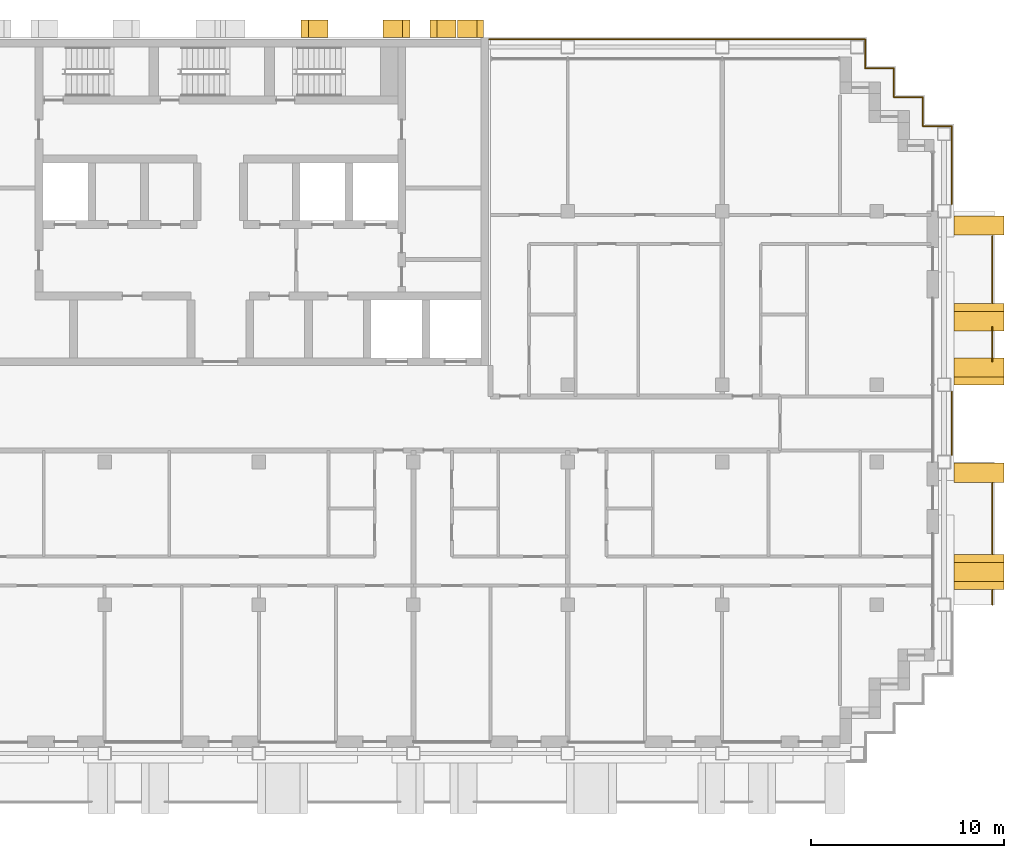
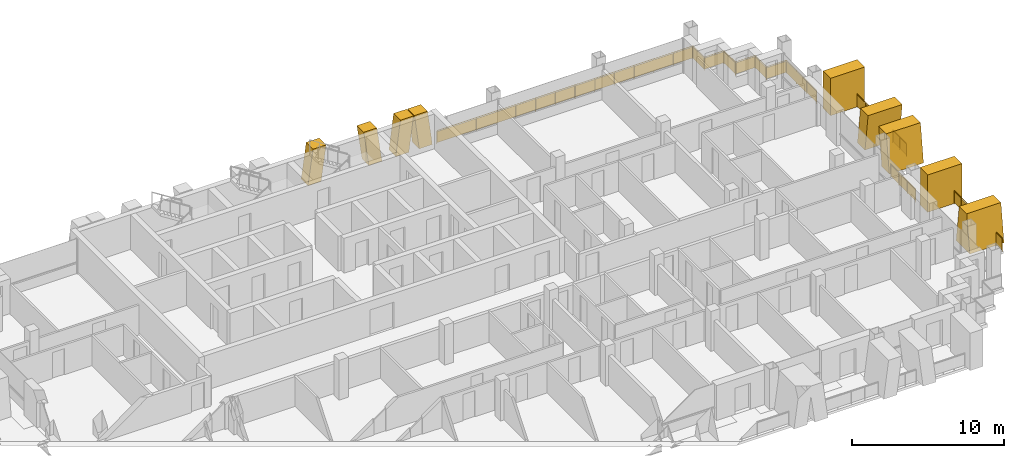
# One storey, part 16 of 16: 9 shading devices, 8 railings.
"""IFC4 building model written with IfcOpenShell, lengths in metres."""

from ifc_helpers import new_model, si_unit, direction, frame, origin, origin_2d, place, context, subcontext, project, spatial, polyline, rectangle, circle, outline, extrude, material, layer, layer_set, type_object, element, save


model = new_model("IFC4")

# Units and contexts
model_context = context("Model", 3, precision=1e-05, world=origin(), true_north=direction((0.0, 1.0)))
body_context = subcontext(model_context, "Body", "Model", "MODEL_VIEW")
ifc_project = project(units=[si_unit("LENGTHUNIT", "METRE"), si_unit("AREAUNIT", "SQUARE_METRE"), si_unit("VOLUMEUNIT", "CUBIC_METRE"), si_unit("PLANEANGLEUNIT", "RADIAN"), si_unit("MASSUNIT", "GRAM", prefix="KILO")], contexts=[model_context])

# Site, building, storey
site_placement = place(None, origin())
site = spatial("IfcSite", under=ifc_project, at=site_placement, CompositionType="ELEMENT")
building_placement = place(site_placement, origin())
building = spatial("IfcBuilding", under=site, at=building_placement, Name="Vidyagriha Tower", CompositionType="ELEMENT")
storey_placement = place(building_placement, frame((0.0, 0.0, 190.89990234375)))
storey = spatial("IfcBuildingStorey", under=building, at=storey_placement, Name="L50", CompositionType="ELEMENT", Elevation=190.89990234375)

# Railings
ifc_material_1 = material(Name="Steel ASTM A500 Grade C black painted", Category="steel")
railing_type_1 = type_object("IfcRailingType", Name="Balcony guard 1100", PredefinedType="BALUSTRADE", material=ifc_material_1)
railing_1_placement = place(storey_placement, frame((40.0, -9.39990234375, 0.0)))
element("IfcRailing", 1, at=railing_1_placement, inside=storey, type_object=railing_type_1, Name="Balcony guard L50 R30.1-1", PredefinedType="BALUSTRADE", context=body_context, shape_type="SweptSolid", body=[
    extrude(circle(Radius=0.02490234375, at=origin_2d()), frame((0.0, 0.0, 1.0751953125), z_axis=(0.0, 1.0, 0.0), x_axis=(-1.0, 0.0, 0.0)), (0.0, 0.0, 1.0), 0.75),
    extrude(circle(Radius=0.02001953125, at=origin_2d()), origin(), (0.0, 0.0, 1.0), 1.050048828125),
    extrude(circle(Radius=0.02001953125, at=origin_2d()), frame((0.0, 0.75, 0.0)), (0.0, 0.0, 1.0), 1.050048828125),
    extrude(rectangle(XDim=0.010009765625, YDim=0.900146484375, at=origin_2d()), frame((0.0, 0.0, 0.550048828125), z_axis=(0.0, 1.0, 0.0), x_axis=(-1.0, 0.0, 0.0)), (0.0, 0.0, 1.0), 0.75),
])
railing_2_placement = place(storey_placement, frame((40.0, -6.75, 0.0)))
element("IfcRailing", 2, at=railing_2_placement, inside=storey, type_object=railing_type_1, Name="Balcony guard L50 R30.1-2", PredefinedType="BALUSTRADE", context=body_context, shape_type="SweptSolid", body=[
    extrude(circle(Radius=0.02490234375, at=origin_2d()), frame((0.0, 0.0, 1.0751953125), z_axis=(0.0, 1.0, 0.0), x_axis=(-1.0, 0.0, 0.0)), (0.0, 0.0, 1.0), 3.64990234375),
    extrude(circle(Radius=0.02001953125, at=origin_2d()), origin(), (0.0, 0.0, 1.0), 1.050048828125),
    extrude(circle(Radius=0.02001953125, at=origin_2d()), frame((0.0, 0.91259765625, 0.0)), (0.0, 0.0, 1.0), 1.050048828125),
    extrude(circle(Radius=0.02001953125, at=origin_2d()), frame((0.0, 1.824951171875, 0.0)), (0.0, 0.0, 1.0), 1.050048828125),
    extrude(circle(Radius=0.02001953125, at=origin_2d()), frame((0.0, 2.7373046875, 0.0)), (0.0, 0.0, 1.0), 1.050048828125),
    extrude(circle(Radius=0.02001953125, at=origin_2d()), frame((0.0, 3.64990234375, 0.0)), (0.0, 0.0, 1.0), 1.050048828125),
    extrude(rectangle(XDim=0.010009765625, YDim=0.900146484375, at=origin_2d()), frame((0.0, 0.0, 0.550048828125), z_axis=(0.0, 1.0, 0.0), x_axis=(-1.0, 0.0, 0.0)), (0.0, 0.0, 1.0), 3.64990234375),
])
railing_3_placement = place(storey_placement, frame((40.0, 3.203369140625, 0.0)))
element("IfcRailing", 3, at=railing_3_placement, inside=storey, type_object=railing_type_1, Name="Balcony guard L50 R30.2-1", PredefinedType="BALUSTRADE", context=body_context, shape_type="SweptSolid", body=[
    extrude(circle(Radius=0.02490234375, at=origin_2d()), frame((0.0, 0.0, 1.0751953125), z_axis=(0.0, 1.0, 0.0), x_axis=(-1.0, 0.0, 0.0)), (0.0, 0.0, 1.0), 1.793212890625),
    extrude(circle(Radius=0.02001953125, at=origin_2d()), origin(), (0.0, 0.0, 1.0), 1.050048828125),
    extrude(circle(Radius=0.02001953125, at=origin_2d()), frame((0.0, 0.896484375, 0.0)), (0.0, 0.0, 1.0), 1.050048828125),
    extrude(circle(Radius=0.02001953125, at=origin_2d()), frame((0.0, 1.793212890625, 0.0)), (0.0, 0.0, 1.0), 1.050048828125),
    extrude(rectangle(XDim=0.010009765625, YDim=0.900146484375, at=origin_2d()), frame((0.0, 0.0, 0.550048828125), z_axis=(0.0, 1.0, 0.0), x_axis=(-1.0, 0.0, 0.0)), (0.0, 0.0, 1.0), 1.793212890625),
])
railing_4_placement = place(storey_placement, frame((40.0, 6.25, 0.0)))
element("IfcRailing", 4, at=railing_4_placement, inside=storey, type_object=railing_type_1, Name="Balcony guard L50 R30.2-2", PredefinedType="BALUSTRADE", context=body_context, shape_type="SweptSolid", body=[
    extrude(circle(Radius=0.02490234375, at=origin_2d()), frame((0.0, 0.0, 1.0751953125), z_axis=(0.0, 1.0, 0.0), x_axis=(-1.0, 0.0, 0.0)), (0.0, 0.0, 1.0), 3.449951171875),
    extrude(circle(Radius=0.02001953125, at=origin_2d()), origin(), (0.0, 0.0, 1.0), 1.050048828125),
    extrude(circle(Radius=0.02001953125, at=origin_2d()), frame((0.0, 1.14990234375, 0.0)), (0.0, 0.0, 1.0), 1.050048828125),
    extrude(circle(Radius=0.02001953125, at=origin_2d()), frame((0.0, 2.300048828125, 0.0)), (0.0, 0.0, 1.0), 1.050048828125),
    extrude(circle(Radius=0.02001953125, at=origin_2d()), frame((0.0, 3.449951171875, 0.0)), (0.0, 0.0, 1.0), 1.050048828125),
    extrude(rectangle(XDim=0.010009765625, YDim=0.900146484375, at=origin_2d()), frame((0.0, 0.0, 0.550048828125), z_axis=(0.0, 1.0, 0.0), x_axis=(-1.0, 0.0, 0.0)), (0.0, 0.0, 1.0), 3.449951171875),
])

# Shading devices
ifc_material_2 = material(Name="Precast concrete C40/50 with buff brick facing", Category="concrete")
ifc_layer_1 = layer(ifc_material_2, 1.0)
ifc_layer_set_1 = layer_set([ifc_layer_1], Name="Precast concrete C40/50 with buff brick facing")
shading_device_type_1 = type_object("IfcShadingDeviceType", Name="Brick-faced blade fin arm leaning 8 degrees", PredefinedType="USERDEFINED", material=ifc_layer_set_1)
shading_device_1_placement = place(storey_placement, frame((39.300048828125, 4.800048828125, 0.0), z_axis=(0.0, 0.0, 1.0), x_axis=(0.0, 1.0, 0.0)))
element("IfcShadingDevice", 5, at=shading_device_1_placement, inside=storey, type_object=shading_device_type_1, Name="Leaning blade fin L50 R30.1370a", ObjectType="BLADE FIN", PredefinedType="USERDEFINED", context=body_context, shape_type="SweptSolid", body=[
    extrude(outline(polyline([(0.39990234375, 0.0), (1.39990234375, 0.0), (1.0, 3.0), (0.0, 3.0), (0.39990234375, 0.0)])), frame((0.0, 1.300048828125, 0.0), z_axis=(0.0, -1.0, 0.0), x_axis=(1.0, 0.0, 0.0)), (0.0, 0.0, 1.0), 2.60009765625),
])
shading_device_2_placement = place(storey_placement, frame((39.300048828125, 2.0, 0.0), z_axis=(0.0, 0.0, 1.0), x_axis=(0.0, 1.0, 0.0)))
element("IfcShadingDevice", 6, at=shading_device_2_placement, inside=storey, type_object=shading_device_type_1, Name="Leaning blade fin L50 R30.1370b", ObjectType="BLADE FIN", PredefinedType="USERDEFINED", context=body_context, shape_type="SweptSolid", body=[
    extrude(outline(polyline([(0.0, 0.0), (1.0, 0.0), (1.39990234375, 3.0), (0.39990234375, 3.0), (0.0, 0.0)])), frame((0.0, 1.300048828125, 0.0), z_axis=(0.0, -1.0, 0.0), x_axis=(1.0, 0.0, 0.0)), (0.0, 0.0, 1.0), 2.60009765625),
])
ifc_material_3 = material(Name="Precast concrete C40/50 with buff brick facing", Category="concrete")
ifc_layer_2 = layer(ifc_material_3, 1.0)
ifc_layer_set_2 = layer_set([ifc_layer_2], Name="Precast concrete C40/50 with buff brick facing")
shading_device_type_2 = type_object("IfcShadingDeviceType", Name="Brick-faced blade fin forking 8 degrees", PredefinedType="USERDEFINED", material=ifc_layer_set_2)
shading_device_3_placement = place(storey_placement, frame((39.300048828125, -8.60009765625, 0.0), z_axis=(0.0, 0.0, 1.0), x_axis=(0.0, 1.0, 0.0)))
element("IfcShadingDevice", 7, at=shading_device_3_placement, inside=storey, type_object=shading_device_type_2, Name="Forked blade fin L50 R30.230a", ObjectType="BLADE FIN", PredefinedType="USERDEFINED", context=body_context, shape_type="SweptSolid", body=[
    extrude(outline(polyline([(0.0, 0.0), (1.800048828125, 0.0), (1.39990234375, 3.0), (0.39990234375, 3.0), (0.0, 0.0)])), frame((0.0, 1.300048828125, 0.0), z_axis=(0.0, -1.0, 0.0), x_axis=(1.0, 0.0, 0.0)), (0.0, 0.0, 1.0), 2.60009765625),
])
ifc_material_4 = material(Name="Precast concrete C40/50 with buff brick facing", Category="concrete")
ifc_layer_3 = layer(ifc_material_4, 1.0)
ifc_layer_set_3 = layer_set([ifc_layer_3], Name="Precast concrete C40/50 with buff brick facing")
shading_device_type_3 = type_object("IfcShadingDeviceType", Name="Brick-faced blade fin stem 1000", PredefinedType="USERDEFINED", material=ifc_layer_set_3)
for number, where, z_axis, x_axis, name in (
    (8, (39.300048828125, -3.050048828125, 0.0), (0.0, 0.0, 1.0), (0.0, 1.0, 0.0), "Stem blade fin L50 R30.970a"),
    (9, (39.300048828125, 9.75, 0.0), (0.0, 0.0, 1.0), (0.0, 1.0, 0.0), "Stem blade fin L50 R30.2270a"),
):
    element("IfcShadingDevice", number, at=place(storey_placement, frame(where, z_axis=z_axis, x_axis=x_axis)), inside=storey, type_object=shading_device_type_3, Name=name, ObjectType="BLADE FIN", PredefinedType="USERDEFINED", context=body_context, shape_type="SweptSolid", body=[
        extrude(outline(polyline([(0.0, 0.0), (1.0, 0.0), (1.0, 3.0), (0.0, 3.0), (0.0, 0.0)])), frame((0.0, 1.300048828125, 0.0), z_axis=(0.0, -1.0, 0.0), x_axis=(1.0, 0.0, 0.0)), (0.0, 0.0, 1.0), 2.60009765625),
    ])
ifc_material_5 = material(Name="Precast concrete C40/50 with brick facing", Category="concrete")
ifc_layer_4 = layer(ifc_material_5, 1.0)
ifc_layer_set_4 = layer_set([ifc_layer_4], Name="Precast concrete C40/50 with brick facing")
shading_device_type_4 = type_object("IfcShadingDeviceType", Name="Brick-faced rear rib arm leaning 8 degrees", PredefinedType="USERDEFINED", material=ifc_layer_set_4)
shading_device_4_placement = place(storey_placement, frame((12.21435546875, 20.449951171875, 0.0), z_axis=(0.0, 0.0, 1.0), x_axis=(-1.0, 0.0, 0.0)))
element("IfcShadingDevice", 10, at=shading_device_4_placement, inside=storey, type_object=shading_device_type_4, Name="Rear rib arm L50 R08.1a", ObjectType="BLADE FIN", PredefinedType="USERDEFINED", context=body_context, shape_type="SweptSolid", body=[
    extrude(outline(polyline([(0.357177734375, 0.0), (1.357177734375, 0.0), (1.0, 2.800048828125), (0.0, 2.800048828125), (0.357177734375, 0.0)])), frame((0.0, 0.449951171875, 0.0), z_axis=(0.0, -1.0, 0.0), x_axis=(1.0, 0.0, 0.0)), (0.0, 0.0, 1.0), 0.89990234375),
])
shading_device_5_placement = place(storey_placement, frame((13.642822265625, 20.449951171875, 0.0), z_axis=(0.0, 0.0, 1.0), x_axis=(-1.0, 0.0, 0.0)))
element("IfcShadingDevice", 11, at=shading_device_5_placement, inside=storey, type_object=shading_device_type_4, Name="Rear rib arm L50 R08.1b", ObjectType="BLADE FIN", PredefinedType="USERDEFINED", context=body_context, shape_type="SweptSolid", body=[
    extrude(outline(polyline([(0.0, 0.0), (1.0, 0.0), (1.357177734375, 2.800048828125), (0.357177734375, 2.800048828125), (0.0, 0.0)])), frame((0.0, 0.449951171875, 0.0), z_axis=(0.0, -1.0, 0.0), x_axis=(1.0, 0.0, 0.0)), (0.0, 0.0, 1.0), 0.89990234375),
])
shading_device_6_placement = place(storey_placement, frame((5.5712890625, 20.449951171875, 0.0), z_axis=(0.0, 0.0, 1.0), x_axis=(-1.0, 0.0, 0.0)))
element("IfcShadingDevice", 12, at=shading_device_6_placement, inside=storey, type_object=shading_device_type_4, Name="Rear rib arm L50 R08.2a", ObjectType="BLADE FIN", PredefinedType="USERDEFINED", context=body_context, shape_type="SweptSolid", body=[
    extrude(outline(polyline([(0.3857421875, 0.0), (1.3857421875, 0.0), (1.0, 2.800048828125), (0.0, 2.800048828125), (0.3857421875, 0.0)])), frame((0.0, 0.449951171875, 0.0), z_axis=(0.0, -1.0, 0.0), x_axis=(1.0, 0.0, 0.0)), (0.0, 0.0, 1.0), 0.89990234375),
])
shading_device_7_placement = place(storey_placement, frame((9.814208984375, 20.449951171875, 0.0), z_axis=(0.0, 0.0, 1.0), x_axis=(-1.0, 0.0, 0.0)))
element("IfcShadingDevice", 13, at=shading_device_7_placement, inside=storey, type_object=shading_device_type_4, Name="Rear rib arm L50 R08.2b", ObjectType="BLADE FIN", PredefinedType="USERDEFINED", context=body_context, shape_type="SweptSolid", body=[
    extrude(outline(polyline([(0.0, 0.0), (1.0, 0.0), (1.3857421875, 2.800048828125), (0.3857421875, 2.800048828125), (0.0, 0.0)])), frame((0.0, 0.449951171875, 0.0), z_axis=(0.0, -1.0, 0.0), x_axis=(1.0, 0.0, 0.0)), (0.0, 0.0, 1.0), 0.89990234375),
])

# Railings
ifc_material_6 = material(Name="Steel ASTM A500 Grade C black painted", Category="steel")
railing_type_2 = type_object("IfcRailingType", Name="Gallery guard 1100", PredefinedType="GUARDRAIL", material=ifc_material_6)
railing_5_placement = place(storey_placement, frame((13.929931640625, 19.89990234375, 0.0)))
element("IfcRailing", 14, at=railing_5_placement, inside=storey, type_object=railing_type_2, Name="Gallery guard L50 6", PredefinedType="GUARDRAIL", context=body_context, shape_type="SweptSolid", body=[
    extrude(circle(Radius=0.02490234375, at=origin_2d()), frame((0.0, 0.0, 1.0751953125), z_axis=(1.0, 0.0, 0.0), x_axis=(0.0, 1.0, 0.0)), (0.0, 0.0, 1.0), 12.0),
    extrude(circle(Radius=0.02001953125, at=origin_2d()), origin(), (0.0, 0.0, 1.0), 1.050048828125),
    extrude(circle(Radius=0.02001953125, at=origin_2d()), frame((1.5, 0.0, 0.0)), (0.0, 0.0, 1.0), 1.050048828125),
    extrude(circle(Radius=0.02001953125, at=origin_2d()), frame((3.0, 0.0, 0.0)), (0.0, 0.0, 1.0), 1.050048828125),
    extrude(circle(Radius=0.02001953125, at=origin_2d()), frame((4.5, 0.0, 0.0)), (0.0, 0.0, 1.0), 1.050048828125),
    extrude(circle(Radius=0.02001953125, at=origin_2d()), frame((6.0, 0.0, 0.0)), (0.0, 0.0, 1.0), 1.050048828125),
    extrude(circle(Radius=0.02001953125, at=origin_2d()), frame((7.5, 0.0, 0.0)), (0.0, 0.0, 1.0), 1.050048828125),
    extrude(circle(Radius=0.02001953125, at=origin_2d()), frame((9.0, 0.0, 0.0)), (0.0, 0.0, 1.0), 1.050048828125),
    extrude(circle(Radius=0.02001953125, at=origin_2d()), frame((10.5, 0.0, 0.0)), (0.0, 0.0, 1.0), 1.050048828125),
    extrude(circle(Radius=0.02001953125, at=origin_2d()), frame((12.0, 0.0, 0.0)), (0.0, 0.0, 1.0), 1.050048828125),
    extrude(rectangle(XDim=0.010009765625, YDim=0.900146484375, at=origin_2d()), frame((0.0, 0.0, 0.550048828125), z_axis=(1.0, 0.0, 0.0), x_axis=(0.0, 1.0, 0.0)), (0.0, 0.0, 1.0), 12.0),
])
railing_6_placement = place(storey_placement, frame((25.929931640625, 19.89990234375, 0.0)))
element("IfcRailing", 15, at=railing_6_placement, inside=storey, type_object=railing_type_2, Name="Gallery guard L50 7", PredefinedType="GUARDRAIL", context=body_context, shape_type="SweptSolid", body=[
    extrude(circle(Radius=0.02490234375, at=origin_2d()), frame((0.0, 0.0, 1.0751953125), z_axis=(1.0, 0.0, 0.0), x_axis=(0.0, 1.0, 0.0)), (0.0, 0.0, 1.0), 7.469970703125),
    extrude(circle(Radius=0.02490234375, at=origin_2d()), frame((7.469970703125, 0.0, 1.0751953125), z_axis=(0.0, -1.0, 0.0), x_axis=(1.0, 0.0, 0.0)), (0.0, 0.0, 1.0), 1.5),
    extrude(circle(Radius=0.02490234375, at=origin_2d()), frame((7.469970703125, -1.5, 1.0751953125), z_axis=(1.0, 0.0, 0.0), x_axis=(0.0, 1.0, 0.0)), (0.0, 0.0, 1.0), 1.5),
    extrude(circle(Radius=0.02490234375, at=origin_2d()), frame((8.969970703125, -1.5, 1.0751953125), z_axis=(0.0, -1.0, 0.0), x_axis=(1.0, 0.0, 0.0)), (0.0, 0.0, 1.0), 1.5),
    extrude(circle(Radius=0.02490234375, at=origin_2d()), frame((8.969970703125, -3.0, 1.0751953125), z_axis=(1.0, 0.0, 0.0), x_axis=(0.0, 1.0, 0.0)), (0.0, 0.0, 1.0), 0.030029296875),
    extrude(circle(Radius=0.02001953125, at=origin_2d()), origin(), (0.0, 0.0, 1.0), 1.050048828125),
    extrude(circle(Radius=0.02001953125, at=origin_2d()), frame((1.493896484375, 0.0, 0.0)), (0.0, 0.0, 1.0), 1.050048828125),
    extrude(circle(Radius=0.02001953125, at=origin_2d()), frame((2.988037109375, 0.0, 0.0)), (0.0, 0.0, 1.0), 1.050048828125),
    extrude(circle(Radius=0.02001953125, at=origin_2d()), frame((4.48193359375, 0.0, 0.0)), (0.0, 0.0, 1.0), 1.050048828125),
    extrude(circle(Radius=0.02001953125, at=origin_2d()), frame((5.97607421875, 0.0, 0.0)), (0.0, 0.0, 1.0), 1.050048828125),
    extrude(circle(Radius=0.02001953125, at=origin_2d()), frame((7.469970703125, 0.0, 0.0)), (0.0, 0.0, 1.0), 1.050048828125),
    extrude(circle(Radius=0.02001953125, at=origin_2d()), frame((7.469970703125, -1.5, 0.0)), (0.0, 0.0, 1.0), 1.050048828125),
    extrude(circle(Radius=0.02001953125, at=origin_2d()), frame((8.969970703125, -1.5, 0.0)), (0.0, 0.0, 1.0), 1.050048828125),
    extrude(circle(Radius=0.02001953125, at=origin_2d()), frame((8.969970703125, -3.0, 0.0)), (0.0, 0.0, 1.0), 1.050048828125),
    extrude(circle(Radius=0.02001953125, at=origin_2d()), frame((9.0, -3.0, 0.0)), (0.0, 0.0, 1.0), 1.050048828125),
    extrude(rectangle(XDim=0.010009765625, YDim=0.900146484375, at=origin_2d()), frame((0.0, 0.0, 0.550048828125), z_axis=(1.0, 0.0, 0.0), x_axis=(0.0, 1.0, 0.0)), (0.0, 0.0, 1.0), 7.469970703125),
    extrude(rectangle(XDim=0.010009765625, YDim=0.900146484375, at=origin_2d()), frame((7.469970703125, 0.0, 0.550048828125), z_axis=(0.0, -1.0, 0.0), x_axis=(1.0, 0.0, 0.0)), (0.0, 0.0, 1.0), 1.5),
    extrude(rectangle(XDim=0.010009765625, YDim=0.900146484375, at=origin_2d()), frame((7.469970703125, -1.5, 0.550048828125), z_axis=(1.0, 0.0, 0.0), x_axis=(0.0, 1.0, 0.0)), (0.0, 0.0, 1.0), 1.5),
    extrude(rectangle(XDim=0.010009765625, YDim=0.900146484375, at=origin_2d()), frame((8.969970703125, -1.5, 0.550048828125), z_axis=(0.0, -1.0, 0.0), x_axis=(1.0, 0.0, 0.0)), (0.0, 0.0, 1.0), 1.5),
    extrude(rectangle(XDim=0.010009765625, YDim=0.900146484375, at=origin_2d()), frame((8.969970703125, -3.0, 0.550048828125), z_axis=(1.0, 0.0, 0.0), x_axis=(0.0, 1.0, 0.0)), (0.0, 0.0, 1.0), 0.030029296875),
])
railing_7_placement = place(storey_placement, frame((34.929931640625, 16.89990234375, 0.0)))
element("IfcRailing", 16, at=railing_7_placement, inside=storey, type_object=railing_type_2, Name="Gallery guard L50 8", PredefinedType="GUARDRAIL", context=body_context, shape_type="SweptSolid", body=[
    extrude(circle(Radius=0.02490234375, at=origin_2d()), frame((0.0, 0.0, 1.0751953125), z_axis=(1.0, 0.0, 0.0), x_axis=(0.0, 1.0, 0.0)), (0.0, 0.0, 1.0), 1.469970703125),
    extrude(circle(Radius=0.02490234375, at=origin_2d()), frame((1.469970703125, 0.0, 1.0751953125), z_axis=(0.0, -1.0, 0.0), x_axis=(1.0, 0.0, 0.0)), (0.0, 0.0, 1.0), 1.5),
    extrude(circle(Radius=0.02490234375, at=origin_2d()), frame((1.469970703125, -1.5, 1.0751953125), z_axis=(1.0, 0.0, 0.0), x_axis=(0.0, 1.0, 0.0)), (0.0, 0.0, 1.0), 1.5),
    extrude(circle(Radius=0.02490234375, at=origin_2d()), frame((2.969970703125, -1.5, 1.0751953125), z_axis=(0.0, -1.0, 0.0), x_axis=(1.0, 0.0, 0.0)), (0.0, 0.0, 1.0), 4.039794921875),
    extrude(circle(Radius=0.02001953125, at=origin_2d()), origin(), (0.0, 0.0, 1.0), 1.050048828125),
    extrude(circle(Radius=0.02001953125, at=origin_2d()), frame((1.469970703125, 0.0, 0.0)), (0.0, 0.0, 1.0), 1.050048828125),
    extrude(circle(Radius=0.02001953125, at=origin_2d()), frame((1.469970703125, -1.5, 0.0)), (0.0, 0.0, 1.0), 1.050048828125),
    extrude(circle(Radius=0.02001953125, at=origin_2d()), frame((2.969970703125, -1.5, 0.0)), (0.0, 0.0, 1.0), 1.050048828125),
    extrude(circle(Radius=0.02001953125, at=origin_2d()), frame((2.969970703125, -2.8466796875, 0.0)), (0.0, 0.0, 1.0), 1.050048828125),
    extrude(circle(Radius=0.02001953125, at=origin_2d()), frame((2.969970703125, -4.193115234375, 0.0)), (0.0, 0.0, 1.0), 1.050048828125),
    extrude(circle(Radius=0.02001953125, at=origin_2d()), frame((2.969970703125, -5.539794921875, 0.0)), (0.0, 0.0, 1.0), 1.050048828125),
    extrude(rectangle(XDim=0.010009765625, YDim=0.900146484375, at=origin_2d()), frame((0.0, 0.0, 0.550048828125), z_axis=(1.0, 0.0, 0.0), x_axis=(0.0, 1.0, 0.0)), (0.0, 0.0, 1.0), 1.469970703125),
    extrude(rectangle(XDim=0.010009765625, YDim=0.900146484375, at=origin_2d()), frame((1.469970703125, 0.0, 0.550048828125), z_axis=(0.0, -1.0, 0.0), x_axis=(1.0, 0.0, 0.0)), (0.0, 0.0, 1.0), 1.5),
    extrude(rectangle(XDim=0.010009765625, YDim=0.900146484375, at=origin_2d()), frame((1.469970703125, -1.5, 0.550048828125), z_axis=(1.0, 0.0, 0.0), x_axis=(0.0, 1.0, 0.0)), (0.0, 0.0, 1.0), 1.5),
    extrude(rectangle(XDim=0.010009765625, YDim=0.900146484375, at=origin_2d()), frame((2.969970703125, -1.5, 0.550048828125), z_axis=(0.0, -1.0, 0.0), x_axis=(1.0, 0.0, 0.0)), (0.0, 0.0, 1.0), 4.039794921875),
])
railing_8_placement = place(storey_placement, frame((37.89990234375, 1.639892578125, 0.0)))
element("IfcRailing", 17, at=railing_8_placement, inside=storey, type_object=railing_type_2, Name="Gallery guard L50 11", PredefinedType="GUARDRAIL", context=body_context, shape_type="SweptSolid", body=[
    extrude(circle(Radius=0.02490234375, at=origin_2d()), frame((0.0, 0.0, 1.0751953125), z_axis=(0.0, -1.0, 0.0), x_axis=(1.0, 0.0, 0.0)), (0.0, 0.0, 1.0), 3.27978515625),
    extrude(circle(Radius=0.02001953125, at=origin_2d()), origin(), (0.0, 0.0, 1.0), 1.050048828125),
    extrude(circle(Radius=0.02001953125, at=origin_2d()), frame((0.0, -1.09326171875, 0.0)), (0.0, 0.0, 1.0), 1.050048828125),
    extrude(circle(Radius=0.02001953125, at=origin_2d()), frame((0.0, -2.1865234375, 0.0)), (0.0, 0.0, 1.0), 1.050048828125),
    extrude(circle(Radius=0.02001953125, at=origin_2d()), frame((0.0, -3.27978515625, 0.0)), (0.0, 0.0, 1.0), 1.050048828125),
    extrude(rectangle(XDim=0.010009765625, YDim=0.900146484375, at=origin_2d()), frame((0.0, 0.0, 0.550048828125), z_axis=(0.0, -1.0, 0.0), x_axis=(1.0, 0.0, 0.0)), (0.0, 0.0, 1.0), 3.27978515625),
])

save(model, "model.ifc")
